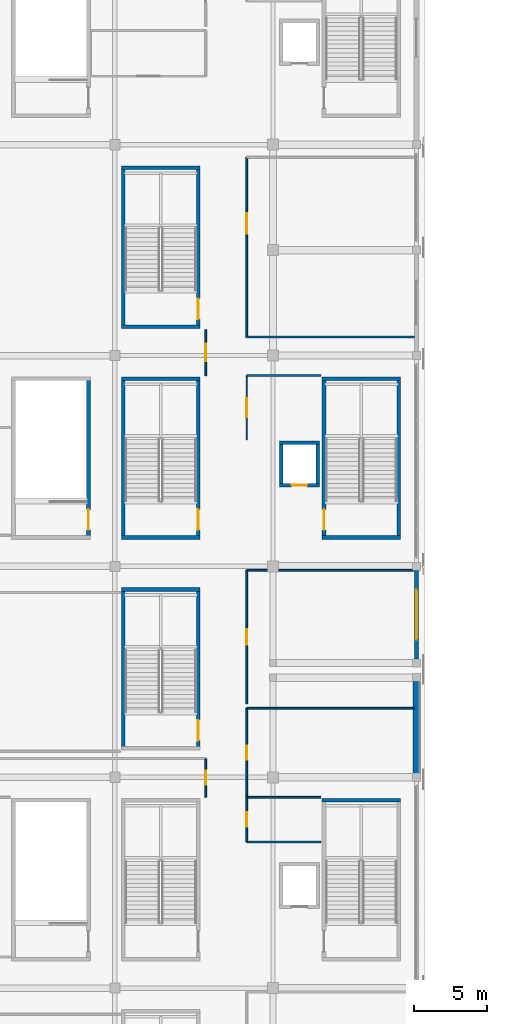
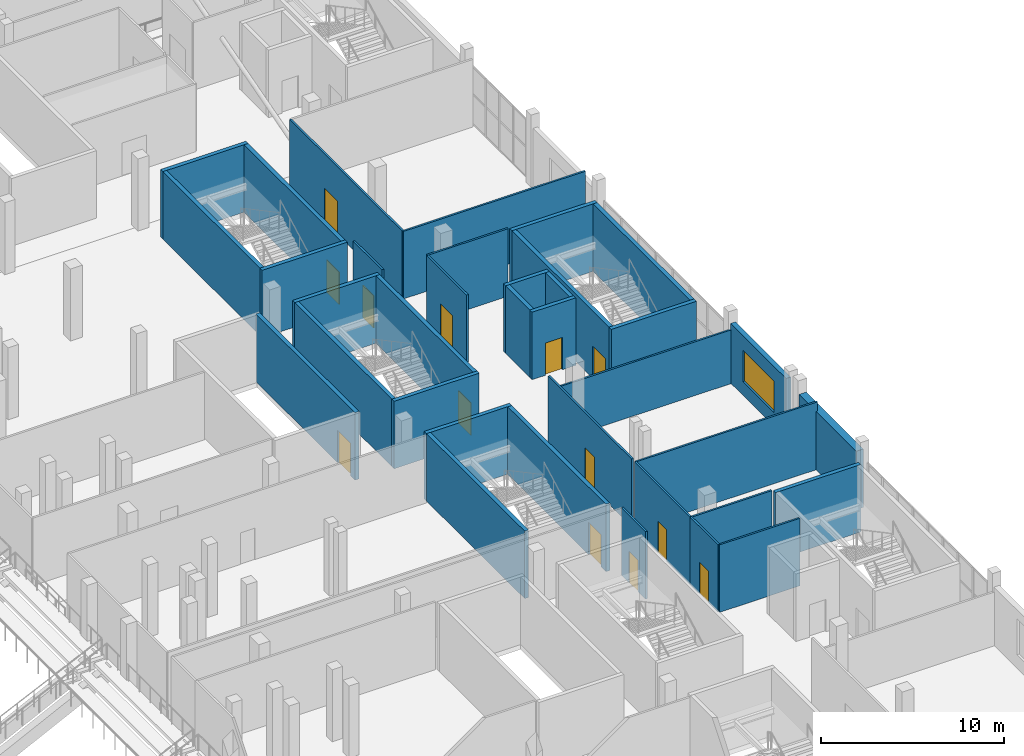
# One storey, part 83 of 129: 36 walls, 13 doors, 1 window, 14 openings.
"""IFC4 building model written with IfcOpenShell, lengths in metres."""

from ifc_helpers import new_model, si_unit, direction, frame, frame_2d, origin, place, context, subcontext, project, spatial, rectangle, extrude, material, layer, layer_set, type_object, element, fill, save


model = new_model("IFC4")

# Units and contexts
model_context = context("Model", 3, precision=1e-05, world=origin(), true_north=direction((0.0, 1.0)))
body_context = subcontext(model_context, "Body", "Model", "MODEL_VIEW")
ifc_project = project(units=[si_unit("LENGTHUNIT", "METRE"), si_unit("AREAUNIT", "SQUARE_METRE"), si_unit("VOLUMEUNIT", "CUBIC_METRE"), si_unit("PLANEANGLEUNIT", "RADIAN"), si_unit("MASSUNIT", "GRAM", prefix="KILO")], contexts=[model_context])

# Site, building, storey
site_placement = place(None, origin())
site = spatial("IfcSite", under=ifc_project, at=site_placement, CompositionType="ELEMENT")
building_placement = place(site_placement, origin())
building = spatial("IfcBuilding", under=site, at=building_placement, Name="Koshinbarg Plaza Stadium", CompositionType="ELEMENT")
storey_placement = place(building_placement, frame((0.0, 0.0, 5.39990234375)))
storey = spatial("IfcBuildingStorey", under=building, at=storey_placement, Name="L01", CompositionType="ELEMENT", Elevation=5.39990234375)

# Walls
ifc_material_1 = material(Name="Concrete C40/50", Category="concrete")
ifc_layer_1 = layer(ifc_material_1, 0.25)
ifc_layer_set_1 = layer_set([ifc_layer_1], Name="Concrete C40/50")
wall_type_1 = type_object("IfcWallType", Name="WL-CORE-250", PredefinedType="SHEAR", material=ifc_layer_set_1)
for number, where, z_axis, x_axis, name in (
    (1, (217.320068359375, 67.125, 0.0), (0.0, 0.0, 1.0), (-1.0, 0.0, 0.0), "L01 core stair shear wall C08-far IWL-L01-0191"),
    (2, (211.949951171875, 85.074951171875, 0.0), (0.0, 0.0, 1.0), (1.0, 0.0, 0.0), "L01 core stair shear wall C09-near IWL-L01-0214"),
    (3, (217.320068359375, 95.925048828125, 0.0), (0.0, 0.0, 1.0), (-1.0, 0.0, 0.0), "L01 core stair shear wall C09-far IWL-L01-0215"),
):
    element("IfcWall", number, at=place(storey_placement, frame(where, z_axis=z_axis, x_axis=x_axis)), inside=storey, type_object=wall_type_1, Name=name, PredefinedType="SHEAR", context=body_context, shape_type="SweptSolid", body=[
        extrude(rectangle(XDim=5.3701171875, YDim=0.25, at=frame_2d((2.68505859375, 0.0))), origin(), (0.0, 0.0, 1.0), 4.5),
    ])

# Wall, opening, door
wall_1_placement = place(storey_placement, frame((212.074951171875, 85.074951171875, 0.0), z_axis=(0.0, 0.0, 1.0), x_axis=(0.0, 1.0, 0.0)))
wall_1 = element("IfcWall", 4, at=wall_1_placement, inside=storey, type_object=wall_type_1, Name="L01 core stair shear wall C09-left IWL-L01-0216", PredefinedType="SHEAR", context=body_context, shape_type="SweptSolid", body=[
    extrude(rectangle(XDim=10.85009765625, YDim=0.25, at=frame_2d((5.425048828125, 0.0))), origin(), (0.0, 0.0, 1.0), 4.5),
])
opening_1_placement = place(wall_1_placement, frame((0.52001953125, 0.0, 0.0)))
opening_1 = element("IfcOpeningElement", 5, at=opening_1_placement, cuts=wall_1, Name="Opening D-0116", PredefinedType="OPENING", context=body_context, shape_type="SweptSolid", body=[
    extrude(rectangle(XDim=1.39990234375, YDim=2.14990234375, at=frame_2d((0.699951171875, 1.074951171875))), frame((0.0, 0.135009765625, 0.0), z_axis=(0.0, -1.0, 0.0), x_axis=(1.0, 0.0, 0.0)), (0.0, 0.0, 1.0), 0.27001953125),
])
ifc_material_2 = material(Name="Painted galvanized steel fire door", Category="steel")
door_type_1 = type_object("IfcDoorType", Name="DR-STAIR-1400", OperationType="NOTDEFINED", PredefinedType="DOOR", material=ifc_material_2)
door_1_placement = place(opening_1_placement, frame((1.39990234375, 0.0, 0.0), z_axis=(0.0, 0.0, 1.0), x_axis=(-1.0, 0.0, 0.0)))
door_1 = element("IfcDoor", 6, at=door_1_placement, inside=storey, type_object=door_type_1, Name="L01 exit stair door C09", OperationType="SINGLE_SWING_LEFT", OverallHeight=2.14990234375, OverallWidth=1.39990234375, PredefinedType="DOOR", context=body_context, shape_type="SweptSolid", body=[
    extrude(rectangle(XDim=1.39990234375, YDim=2.14990234375, at=frame_2d((0.699951171875, 1.074951171875))), frame((0.0, 0.02490234375, 0.0), z_axis=(0.0, -1.0, 0.0), x_axis=(1.0, 0.0, 0.0)), (0.0, 0.0, 1.0), 0.050048828125),
])
fill(opening_1, door_1)

# Walls
wall_2_placement = place(storey_placement, frame((217.195068359375, 85.074951171875, 0.0), z_axis=(0.0, 0.0, 1.0), x_axis=(0.0, 1.0, 0.0)))
element("IfcWall", 7, at=wall_2_placement, inside=storey, type_object=wall_type_1, Name="L01 core stair shear wall C09-right IWL-L01-0217", PredefinedType="SHEAR", context=body_context, shape_type="SweptSolid", body=[
    extrude(rectangle(XDim=10.85009765625, YDim=0.25, at=frame_2d((5.425048828125, 0.0))), origin(), (0.0, 0.0, 1.0), 4.5),
])
wall_3_placement = place(storey_placement, frame((203.6201171875, 81.52490234375, 0.0), z_axis=(0.0, 0.0, 1.0), x_axis=(-1.0, 0.0, 0.0)))
element("IfcWall", 8, at=wall_3_placement, inside=storey, type_object=wall_type_1, Name="L01 vomitory stair shear wall VX10-far IWL-L01-0503", PredefinedType="SHEAR", context=body_context, shape_type="SweptSolid", body=[
    extrude(rectangle(XDim=5.3701171875, YDim=0.25, at=frame_2d((2.68505859375, 0.0))), origin(), (0.0, 0.0, 1.0), 4.5),
])
wall_4_placement = place(storey_placement, frame((198.375, 70.675048828125, 0.0), z_axis=(0.0, 0.0, 1.0), x_axis=(0.0, 1.0, 0.0)))
element("IfcWall", 9, at=wall_4_placement, inside=storey, type_object=wall_type_1, Name="L01 vomitory stair shear wall VX10-left IWL-L01-0504", PredefinedType="SHEAR", context=body_context, shape_type="SweptSolid", body=[
    extrude(rectangle(XDim=10.849853515625, YDim=0.25, at=frame_2d((5.4248046875, 0.0))), origin(), (0.0, 0.0, 1.0), 4.5),
])

# Wall, opening, door
wall_5_placement = place(storey_placement, frame((203.4951171875, 70.675048828125, 0.0), z_axis=(0.0, 0.0, 1.0), x_axis=(0.0, 1.0, 0.0)))
wall_5 = element("IfcWall", 10, at=wall_5_placement, inside=storey, type_object=wall_type_1, Name="L01 vomitory stair shear wall VX10-right IWL-L01-0505", PredefinedType="SHEAR", context=body_context, shape_type="SweptSolid", body=[
    extrude(rectangle(XDim=10.849853515625, YDim=0.25, at=frame_2d((5.4248046875, 0.0))), origin(), (0.0, 0.0, 1.0), 4.5),
])
opening_2_placement = place(wall_5_placement, frame((0.52001953125, 0.0, 0.0)))
opening_2 = element("IfcOpeningElement", 11, at=opening_2_placement, cuts=wall_5, Name="Opening D-0188", PredefinedType="OPENING", context=body_context, shape_type="SweptSolid", body=[
    extrude(rectangle(XDim=1.39990234375, YDim=2.14990234375, at=frame_2d((0.699951171875, 1.074951171875))), frame((0.0, 0.135009765625, 0.0), z_axis=(0.0, -1.0, 0.0), x_axis=(1.0, 0.0, 0.0)), (0.0, 0.0, 1.0), 0.27001953125),
])
door_2_placement = place(opening_2_placement, origin())
door_2 = element("IfcDoor", 12, at=door_2_placement, inside=storey, type_object=door_type_1, Name="L01 vomitory exit stair door VX10", OperationType="SINGLE_SWING_RIGHT", OverallHeight=2.14990234375, OverallWidth=1.39990234375, PredefinedType="DOOR", context=body_context, shape_type="SweptSolid", body=[
    extrude(rectangle(XDim=1.39990234375, YDim=2.14990234375, at=frame_2d((0.699951171875, 1.074951171875))), frame((0.0, 0.02490234375, 0.0), z_axis=(0.0, -1.0, 0.0), x_axis=(1.0, 0.0, 0.0)), (0.0, 0.0, 1.0), 0.050048828125),
])
fill(opening_2, door_2)

# Walls
for number, where, z_axis, x_axis, name in (
    (13, (198.25, 85.074951171875, 0.0), (0.0, 0.0, 1.0), (1.0, 0.0, 0.0), "L01 vomitory stair shear wall VX11-near IWL-L01-0518"),
    (14, (203.6201171875, 95.925048828125, 0.0), (0.0, 0.0, 1.0), (-1.0, 0.0, 0.0), "L01 vomitory stair shear wall VX11-far IWL-L01-0519"),
):
    element("IfcWall", number, at=place(storey_placement, frame(where, z_axis=z_axis, x_axis=x_axis)), inside=storey, type_object=wall_type_1, Name=name, PredefinedType="SHEAR", context=body_context, shape_type="SweptSolid", body=[
        extrude(rectangle(XDim=5.3701171875, YDim=0.25, at=frame_2d((2.68505859375, 0.0))), origin(), (0.0, 0.0, 1.0), 4.5),
    ])
wall_6_placement = place(storey_placement, frame((198.375, 85.074951171875, 0.0), z_axis=(0.0, 0.0, 1.0), x_axis=(0.0, 1.0, 0.0)))
element("IfcWall", 15, at=wall_6_placement, inside=storey, type_object=wall_type_1, Name="L01 vomitory stair shear wall VX11-left IWL-L01-0520", PredefinedType="SHEAR", context=body_context, shape_type="SweptSolid", body=[
    extrude(rectangle(XDim=10.85009765625, YDim=0.25, at=frame_2d((5.425048828125, 0.0))), origin(), (0.0, 0.0, 1.0), 4.5),
])

# Wall, opening, door
wall_7_placement = place(storey_placement, frame((203.4951171875, 85.074951171875, 0.0), z_axis=(0.0, 0.0, 1.0), x_axis=(0.0, 1.0, 0.0)))
wall_7 = element("IfcWall", 16, at=wall_7_placement, inside=storey, type_object=wall_type_1, Name="L01 vomitory stair shear wall VX11-right IWL-L01-0521", PredefinedType="SHEAR", context=body_context, shape_type="SweptSolid", body=[
    extrude(rectangle(XDim=10.85009765625, YDim=0.25, at=frame_2d((5.425048828125, 0.0))), origin(), (0.0, 0.0, 1.0), 4.5),
])
opening_3_placement = place(wall_7_placement, frame((0.52001953125, 0.0, 0.0)))
opening_3 = element("IfcOpeningElement", 17, at=opening_3_placement, cuts=wall_7, Name="Opening D-0192", PredefinedType="OPENING", context=body_context, shape_type="SweptSolid", body=[
    extrude(rectangle(XDim=1.39990234375, YDim=2.14990234375, at=frame_2d((0.699951171875, 1.074951171875))), frame((0.0, 0.135009765625, 0.0), z_axis=(0.0, -1.0, 0.0), x_axis=(1.0, 0.0, 0.0)), (0.0, 0.0, 1.0), 0.27001953125),
])
door_3_placement = place(opening_3_placement, origin())
door_3 = element("IfcDoor", 18, at=door_3_placement, inside=storey, type_object=door_type_1, Name="L01 vomitory exit stair door VX11", OperationType="SINGLE_SWING_LEFT", OverallHeight=2.14990234375, OverallWidth=1.39990234375, PredefinedType="DOOR", context=body_context, shape_type="SweptSolid", body=[
    extrude(rectangle(XDim=1.39990234375, YDim=2.14990234375, at=frame_2d((0.699951171875, 1.074951171875))), frame((0.0, 0.02490234375, 0.0), z_axis=(0.0, -1.0, 0.0), x_axis=(1.0, 0.0, 0.0)), (0.0, 0.0, 1.0), 0.050048828125),
])
fill(opening_3, door_3)

# Walls
for number, where, z_axis, x_axis, name in (
    (19, (198.25, 99.47509765625, 0.0), (0.0, 0.0, 1.0), (1.0, 0.0, 0.0), "L01 vomitory stair shear wall VX12-near IWL-L01-0534"),
    (20, (203.6201171875, 110.324951171875, 0.0), (0.0, 0.0, 1.0), (-1.0, 0.0, 0.0), "L01 vomitory stair shear wall VX12-far IWL-L01-0535"),
):
    element("IfcWall", number, at=place(storey_placement, frame(where, z_axis=z_axis, x_axis=x_axis)), inside=storey, type_object=wall_type_1, Name=name, PredefinedType="SHEAR", context=body_context, shape_type="SweptSolid", body=[
        extrude(rectangle(XDim=5.3701171875, YDim=0.25, at=frame_2d((2.68505859375, 0.0))), origin(), (0.0, 0.0, 1.0), 4.5),
    ])
wall_8_placement = place(storey_placement, frame((198.375, 99.47509765625, 0.0), z_axis=(0.0, 0.0, 1.0), x_axis=(0.0, 1.0, 0.0)))
element("IfcWall", 21, at=wall_8_placement, inside=storey, type_object=wall_type_1, Name="L01 vomitory stair shear wall VX12-left IWL-L01-0536", PredefinedType="SHEAR", context=body_context, shape_type="SweptSolid", body=[
    extrude(rectangle(XDim=10.849853515625, YDim=0.25, at=frame_2d((5.4248046875, 0.0))), origin(), (0.0, 0.0, 1.0), 4.5),
])

# Wall, opening, door
wall_9_placement = place(storey_placement, frame((203.4951171875, 99.47509765625, 0.0), z_axis=(0.0, 0.0, 1.0), x_axis=(0.0, 1.0, 0.0)))
wall_9 = element("IfcWall", 22, at=wall_9_placement, inside=storey, type_object=wall_type_1, Name="L01 vomitory stair shear wall VX12-right IWL-L01-0537", PredefinedType="SHEAR", context=body_context, shape_type="SweptSolid", body=[
    extrude(rectangle(XDim=10.849853515625, YDim=0.25, at=frame_2d((5.4248046875, 0.0))), origin(), (0.0, 0.0, 1.0), 4.5),
])
opening_4_placement = place(wall_9_placement, frame((0.52001953125, 0.0, 0.0)))
opening_4 = element("IfcOpeningElement", 23, at=opening_4_placement, cuts=wall_9, Name="Opening D-0196", PredefinedType="OPENING", context=body_context, shape_type="SweptSolid", body=[
    extrude(rectangle(XDim=1.39990234375, YDim=2.14990234375, at=frame_2d((0.699951171875, 1.074951171875))), frame((0.0, 0.135009765625, 0.0), z_axis=(0.0, -1.0, 0.0), x_axis=(1.0, 0.0, 0.0)), (0.0, 0.0, 1.0), 0.27001953125),
])
door_4_placement = place(opening_4_placement, origin())
door_4 = element("IfcDoor", 24, at=door_4_placement, inside=storey, type_object=door_type_1, Name="L01 vomitory exit stair door VX12", OperationType="SINGLE_SWING_RIGHT", OverallHeight=2.14990234375, OverallWidth=1.39990234375, PredefinedType="DOOR", context=body_context, shape_type="SweptSolid", body=[
    extrude(rectangle(XDim=1.39990234375, YDim=2.14990234375, at=frame_2d((0.699951171875, 1.074951171875))), frame((0.0, 0.02490234375, 0.0), z_axis=(0.0, -1.0, 0.0), x_axis=(1.0, 0.0, 0.0)), (0.0, 0.0, 1.0), 0.050048828125),
])
fill(opening_4, door_4)

wall_10_placement = place(storey_placement, frame((195.9951171875, 85.074951171875, 0.0), z_axis=(0.0, 0.0, 1.0), x_axis=(0.0, 1.0, 0.0)))
wall_10 = element("IfcWall", 25, at=wall_10_placement, inside=storey, type_object=wall_type_1, Name="L01 vomitory stair shear wall VL07-right IWL-L01-0601", PredefinedType="SHEAR", context=body_context, shape_type="SweptSolid", body=[
    extrude(rectangle(XDim=10.85009765625, YDim=0.25, at=frame_2d((5.425048828125, 0.0))), origin(), (0.0, 0.0, 1.0), 4.5),
])
opening_5_placement = place(wall_10_placement, frame((0.52001953125, 0.0, 0.0)))
opening_5 = element("IfcOpeningElement", 26, at=opening_5_placement, cuts=wall_10, Name="Opening D-0212", PredefinedType="OPENING", context=body_context, shape_type="SweptSolid", body=[
    extrude(rectangle(XDim=1.39990234375, YDim=2.14990234375, at=frame_2d((0.699951171875, 1.074951171875))), frame((0.0, 0.135009765625, 0.0), z_axis=(0.0, -1.0, 0.0), x_axis=(1.0, 0.0, 0.0)), (0.0, 0.0, 1.0), 0.27001953125),
])
door_5_placement = place(opening_5_placement, origin())
door_5 = element("IfcDoor", 27, at=door_5_placement, inside=storey, type_object=door_type_1, Name="L01 vomitory exit stair door VL07", OperationType="SINGLE_SWING_LEFT", OverallHeight=2.14990234375, OverallWidth=1.39990234375, PredefinedType="DOOR", context=body_context, shape_type="SweptSolid", body=[
    extrude(rectangle(XDim=1.39990234375, YDim=2.14990234375, at=frame_2d((0.699951171875, 1.074951171875))), frame((0.0, 0.02490234375, 0.0), z_axis=(0.0, -1.0, 0.0), x_axis=(1.0, 0.0, 0.0)), (0.0, 0.0, 1.0), 0.050048828125),
])
fill(opening_5, door_5)

wall_11_placement = place(storey_placement, frame((209.02490234375, 88.64990234375, 0.0), z_axis=(0.0, 0.0, 1.0), x_axis=(1.0, 0.0, 0.0)))
wall_11 = element("IfcWall", 28, at=wall_11_placement, inside=storey, type_object=wall_type_1, Name="L01 lift shaft shear wall LP05-S IWL-L01-0914", PredefinedType="SHEAR", context=body_context, shape_type="SweptSolid", body=[
    extrude(rectangle(XDim=2.75, YDim=0.25, at=frame_2d((1.375, 0.0))), origin(), (0.0, 0.0, 1.0), 4.5),
])
opening_6_placement = place(wall_11_placement, frame((0.85009765625, 0.0, 0.0)))
opening_6 = element("IfcOpeningElement", 29, at=opening_6_placement, cuts=wall_11, Name="Opening D-0298", PredefinedType="OPENING", context=body_context, shape_type="SweptSolid", body=[
    extrude(rectangle(XDim=1.050048828125, YDim=2.14990234375, at=frame_2d((0.52490234375, 1.074951171875))), frame((0.0, 0.135009765625, 0.0), z_axis=(0.0, -1.0, 0.0), x_axis=(1.0, 0.0, 0.0)), (0.0, 0.0, 1.0), 0.27001953125),
])
ifc_material_3 = material(Name="Brushed stainless steel sliding lift landing door", Category="steel")
door_type_2 = type_object("IfcDoorType", Name="DR-LIFT-1050", OperationType="NOTDEFINED", PredefinedType="DOOR", material=ifc_material_3)
door_6_placement = place(opening_6_placement, origin())
door_6 = element("IfcDoor", 30, at=door_6_placement, inside=storey, type_object=door_type_2, Name="L01 lift landing door LP05", OperationType="SLIDING_TO_RIGHT", OverallHeight=2.14990234375, OverallWidth=1.050048828125, PredefinedType="DOOR", context=body_context, shape_type="SweptSolid", body=[
    extrude(rectangle(XDim=1.050048828125, YDim=2.14990234375, at=frame_2d((0.52490234375, 1.074951171875))), frame((0.0, 0.02490234375, 0.0), z_axis=(0.0, -1.0, 0.0), x_axis=(1.0, 0.0, 0.0)), (0.0, 0.0, 1.0), 0.050048828125),
])
fill(opening_6, door_6)

# Walls
wall_12_placement = place(storey_placement, frame((211.77490234375, 91.550048828125, 0.0), z_axis=(0.0, 0.0, 1.0), x_axis=(-1.0, 0.0, 0.0)))
element("IfcWall", 31, at=wall_12_placement, inside=storey, type_object=wall_type_1, Name="L01 lift shaft shear wall LP05-N IWL-L01-0915", PredefinedType="SHEAR", context=body_context, shape_type="SweptSolid", body=[
    extrude(rectangle(XDim=2.75, YDim=0.25, at=frame_2d((1.375, 0.0))), origin(), (0.0, 0.0, 1.0), 4.5),
])
for number, where, z_axis, x_axis, name in (
    (32, (209.14990234375, 91.550048828125, 0.0), (0.0, 0.0, 1.0), (0.0, -1.0, 0.0), "L01 lift shaft shear wall LP05-W IWL-L01-0916"),
    (33, (211.64990234375, 88.64990234375, 0.0), (0.0, 0.0, 1.0), (0.0, 1.0, 0.0), "L01 lift shaft shear wall LP05-E IWL-L01-0917"),
):
    element("IfcWall", number, at=place(storey_placement, frame(where, z_axis=z_axis, x_axis=x_axis)), inside=storey, type_object=wall_type_1, Name=name, PredefinedType="SHEAR", context=body_context, shape_type="SweptSolid", body=[
        extrude(rectangle(XDim=2.900146484375, YDim=0.25, at=frame_2d((1.4501953125, 0.0))), origin(), (0.0, 0.0, 1.0), 4.5),
    ])

# Wall, opening, window
ifc_material_4 = material(Name="Off-white mineral plaster insulated wall", Category="masonry")
ifc_layer_2 = layer(ifc_material_4, 0.300048828125)
ifc_layer_set_2 = layer_set([ifc_layer_2], Name="Off-white mineral plaster insulated wall")
wall_type_2 = type_object("IfcWallType", Name="WL-EXT-300", PredefinedType="SOLIDWALL", material=ifc_layer_set_2)
wall_13_placement = place(storey_placement, frame((218.39990234375, 82.830078125, 0.0), z_axis=(0.0, 0.0, 1.0), x_axis=(0.0, -1.0, 0.0)))
wall_13 = element("IfcWall", 34, at=wall_13_placement, inside=storey, type_object=wall_type_2, Name="L01 exterior envelope wall EWL-L01-0093", PredefinedType="SOLIDWALL", context=body_context, shape_type="SweptSolid", body=[
    extrude(rectangle(XDim=6.06005859375, YDim=0.300048828125, at=frame_2d((3.030029296875, 0.0))), origin(), (0.0, 0.0, 1.0), 3.97998046875),
])
opening_7_placement = place(wall_13_placement, frame((1.330078125, 0.0, 0.89990234375)))
opening_7 = element("IfcOpeningElement", 35, at=opening_7_placement, cuts=wall_13, Name="Opening WN18", PredefinedType="OPENING", context=body_context, shape_type="SweptSolid", body=[
    extrude(rectangle(XDim=3.39990234375, YDim=2.10009765625, at=frame_2d((1.699951171875, 1.050048828125))), frame((0.0, 0.159912109375, 0.0), z_axis=(0.0, -1.0, 0.0), x_axis=(1.0, 0.0, 0.0)), (0.0, 0.0, 1.0), 0.320068359375),
])
ifc_material_5 = material(Name="Solar-control double glazing in thermally broken aluminium frame", Category="aluminium")
window_type = type_object("IfcWindowType", Name="WN-FAC-18", PartitioningType="DOUBLE_PANEL_VERTICAL", PredefinedType="WINDOW", material=ifc_material_5)
window_placement = place(opening_7_placement, origin())
window = element("IfcWindow", 36, at=window_placement, inside=storey, type_object=window_type, Name="L01 facade window 0034", OverallHeight=2.10009765625, OverallWidth=3.39990234375, PartitioningType="SINGLE_PANEL", PredefinedType="WINDOW", context=body_context, shape_type="SweptSolid", body=[
    extrude(rectangle(XDim=3.39990234375, YDim=2.10009765625, at=frame_2d((1.699951171875, 1.050048828125))), frame((0.0, 0.030029296875, 0.0), z_axis=(0.0, -1.0, 0.0), x_axis=(1.0, 0.0, 0.0)), (0.0, 0.0, 1.0), 0.06005859375),
])
fill(opening_7, window)

# Wall, opening, door
ifc_material_6 = material(Name="Gypsum board metal-stud acoustic partition")
ifc_layer_3 = layer(ifc_material_6, 0.1201171875)
ifc_layer_set_3 = layer_set([ifc_layer_3], Name="Gypsum board metal-stud acoustic partition")
wall_type_3 = type_object("IfcWallType", Name="WL-PART-120", PredefinedType="PARTITIONING", material=ifc_layer_set_3)
wall_14_placement = place(storey_placement, frame((204.0, 67.330078125, 0.0), z_axis=(0.0, 0.0, 1.0), x_axis=(0.0, 1.0, 0.0)))
wall_14 = element("IfcWall", 37, at=wall_14_placement, inside=storey, type_object=wall_type_3, Name="L01 interior partition L01-102-east IWL-L01-1409", PredefinedType="PARTITIONING", context=body_context, shape_type="SweptSolid", body=[
    extrude(rectangle(XDim=2.64794921875, YDim=0.1201171875, at=frame_2d((1.323974609375, 0.0))), origin(), (0.0, 0.0, 1.0), 4.5),
])
opening_8_placement = place(wall_14_placement, frame((0.843994140625, 0.0, 0.0)))
opening_8 = element("IfcOpeningElement", 38, at=opening_8_placement, cuts=wall_14, Name="Opening D-0468", PredefinedType="OPENING", context=body_context, shape_type="SweptSolid", body=[
    extrude(rectangle(XDim=0.9599609375, YDim=2.10009765625, at=frame_2d((0.47998046875, 1.050048828125))), frame((0.0, 0.070068359375, 0.0), z_axis=(0.0, -1.0, 0.0), x_axis=(1.0, 0.0, 0.0)), (0.0, 0.0, 1.0), 0.14013671875),
])
ifc_material_7 = material(Name="Solid-core oak veneer acoustic door")
door_type_3 = type_object("IfcDoorType", Name="DR-INT-0960x2100", OperationType="NOTDEFINED", PredefinedType="DOOR", material=ifc_material_7)
door_7_placement = place(opening_8_placement, origin())
door_7 = element("IfcDoor", 39, at=door_7_placement, inside=storey, type_object=door_type_3, Name="L01 Family Supporters' Lounge door D-0468", OperationType="SINGLE_SWING_RIGHT", OverallHeight=2.10009765625, OverallWidth=0.9599609375, PredefinedType="DOOR", context=body_context, shape_type="SweptSolid", body=[
    extrude(rectangle(XDim=0.9599609375, YDim=2.10009765625, at=frame_2d((0.47998046875, 1.050048828125))), frame((0.0, 0.02490234375, 0.0), z_axis=(0.0, -1.0, 0.0), x_axis=(1.0, 0.0, 0.0)), (0.0, 0.0, 1.0), 0.050048828125),
])
fill(opening_8, door_7)

# Wall
wall_15_placement = place(storey_placement, frame((218.2548828125, 73.4052734375, 0.0), z_axis=(0.0, 0.0, 1.0), x_axis=(-1.0, 0.0, 0.0)))
element("IfcWall", 40, at=wall_15_placement, inside=storey, type_object=wall_type_3, Name="L01 interior partition L01-105-north IWL-L01-1418", PredefinedType="PARTITIONING", context=body_context, shape_type="SweptSolid", body=[
    extrude(rectangle(XDim=11.454833984375, YDim=0.1201171875, at=frame_2d((5.7275390625, 0.0))), origin(), (0.0, 0.0, 1.0), 4.5),
])

# Wall, opening, door
wall_16_placement = place(storey_placement, frame((206.800048828125, 73.4052734375, 0.0), z_axis=(0.0, 0.0, 1.0), x_axis=(0.0, -1.0, 0.0)))
wall_16 = element("IfcWall", 41, at=wall_16_placement, inside=storey, type_object=wall_type_3, Name="L01 interior partition L01-105-west IWL-L01-1419", PredefinedType="PARTITIONING", context=body_context, shape_type="SweptSolid", body=[
    extrude(rectangle(XDim=6.0751953125, YDim=0.1201171875, at=frame_2d((3.03759765625, 0.0))), origin(), (0.0, 0.0, 1.0), 4.5),
])
opening_9_placement = place(wall_16_placement, frame((2.5576171875, 0.0, 0.0)))
opening_9 = element("IfcOpeningElement", 42, at=opening_9_placement, cuts=wall_16, Name="Opening D-0471", PredefinedType="OPENING", context=body_context, shape_type="SweptSolid", body=[
    extrude(rectangle(XDim=0.9599609375, YDim=2.10009765625, at=frame_2d((0.47998046875, 1.050048828125))), frame((0.0, 0.070068359375, 0.0), z_axis=(0.0, -1.0, 0.0), x_axis=(1.0, 0.0, 0.0)), (0.0, 0.0, 1.0), 0.14013671875),
])
door_8_placement = place(opening_9_placement, origin())
door_8 = element("IfcDoor", 43, at=door_8_placement, inside=storey, type_object=door_type_3, Name="L01 East Lower Public Concourse door D-0471", OperationType="SINGLE_SWING_LEFT", OverallHeight=2.10009765625, OverallWidth=0.9599609375, PredefinedType="DOOR", context=body_context, shape_type="SweptSolid", body=[
    extrude(rectangle(XDim=0.9599609375, YDim=2.10009765625, at=frame_2d((0.47998046875, 1.050048828125))), frame((0.0, 0.02490234375, 0.0), z_axis=(0.0, -1.0, 0.0), x_axis=(1.0, 0.0, 0.0)), (0.0, 0.0, 1.0), 0.050048828125),
])
fill(opening_9, door_8)

# Walls
for number, where, z_axis, x_axis, name in (
    (44, (206.800048828125, 64.280517578125, 0.0), (0.0, 0.0, 1.0), (1.0, 0.0, 0.0), "L01 interior partition L01-106-south IWL-L01-1420"),
    (45, (211.8701171875, 67.330078125, 0.0), (0.0, 0.0, 1.0), (-1.0, 0.0, 0.0), "L01 interior partition L01-106-north IWL-L01-1421"),
):
    element("IfcWall", number, at=place(storey_placement, frame(where, z_axis=z_axis, x_axis=x_axis)), inside=storey, type_object=wall_type_3, Name=name, PredefinedType="PARTITIONING", context=body_context, shape_type="SweptSolid", body=[
        extrude(rectangle(XDim=5.070068359375, YDim=0.1201171875, at=frame_2d((2.53515625, 0.0))), origin(), (0.0, 0.0, 1.0), 4.5),
    ])

# Wall, opening, door
wall_17_placement = place(storey_placement, frame((206.800048828125, 67.330078125, 0.0), z_axis=(0.0, 0.0, 1.0), x_axis=(0.0, -1.0, 0.0)))
wall_17 = element("IfcWall", 46, at=wall_17_placement, inside=storey, type_object=wall_type_3, Name="L01 interior partition L01-106-west IWL-L01-1422", PredefinedType="PARTITIONING", context=body_context, shape_type="SweptSolid", body=[
    extrude(rectangle(XDim=3.049560546875, YDim=0.1201171875, at=frame_2d((1.52490234375, 0.0))), origin(), (0.0, 0.0, 1.0), 4.5),
])
opening_10_placement = place(wall_17_placement, frame((1.02490234375, 0.0, 0.0)))
opening_10 = element("IfcOpeningElement", 47, at=opening_10_placement, cuts=wall_17, Name="Opening D-0472", PredefinedType="OPENING", context=body_context, shape_type="SweptSolid", body=[
    extrude(rectangle(XDim=1.0, YDim=2.10009765625, at=frame_2d((0.5, 1.050048828125))), frame((0.0, 0.070068359375, 0.0), z_axis=(0.0, -1.0, 0.0), x_axis=(1.0, 0.0, 0.0)), (0.0, 0.0, 1.0), 0.14013671875),
])
ifc_material_8 = material(Name="Solid-core laminate accessible WC door")
door_type_4 = type_object("IfcDoorType", Name="DR-INT-1000x2100", OperationType="NOTDEFINED", PredefinedType="DOOR", material=ifc_material_8)
door_9_placement = place(opening_10_placement, origin())
door_9 = element("IfcDoor", 48, at=door_9_placement, inside=storey, type_object=door_type_4, Name="L01 East Concourse Dining Hall door D-0472", OperationType="SINGLE_SWING_RIGHT", OverallHeight=2.10009765625, OverallWidth=1.0, PredefinedType="DOOR", context=body_context, shape_type="SweptSolid", body=[
    extrude(rectangle(XDim=1.0, YDim=2.10009765625, at=frame_2d((0.5, 1.050048828125))), frame((0.0, 0.02490234375, 0.0), z_axis=(0.0, -1.0, 0.0), x_axis=(1.0, 0.0, 0.0)), (0.0, 0.0, 1.0), 0.050048828125),
])
fill(opening_10, door_9)

# Wall
wall_18_placement = place(storey_placement, frame((218.2548828125, 82.830078125, 0.0), z_axis=(0.0, 0.0, 1.0), x_axis=(-1.0, 0.0, 0.0)))
element("IfcWall", 49, at=wall_18_placement, inside=storey, type_object=wall_type_3, Name="L01 interior partition L01-107-north IWL-L01-1423", PredefinedType="PARTITIONING", context=body_context, shape_type="SweptSolid", body=[
    extrude(rectangle(XDim=11.454833984375, YDim=0.1201171875, at=frame_2d((5.7275390625, 0.0))), origin(), (0.0, 0.0, 1.0), 3.580078125),
])

# Wall, opening, door
wall_19_placement = place(storey_placement, frame((206.800048828125, 82.830078125, 0.0), z_axis=(0.0, 0.0, 1.0), x_axis=(0.0, -1.0, 0.0)))
wall_19 = element("IfcWall", 50, at=wall_19_placement, inside=storey, type_object=wall_type_3, Name="L01 interior partition L01-107-west IWL-L01-1424", PredefinedType="PARTITIONING", context=body_context, shape_type="SweptSolid", body=[
    extrude(rectangle(XDim=9.125, YDim=0.1201171875, at=frame_2d((4.5625, 0.0))), origin(), (0.0, 0.0, 1.0), 4.5),
])
opening_11_placement = place(wall_19_placement, frame((4.037353515625, 0.0, 0.0)))
opening_11 = element("IfcOpeningElement", 51, at=opening_11_placement, cuts=wall_19, Name="Opening D-0473", PredefinedType="OPENING", context=body_context, shape_type="SweptSolid", body=[
    extrude(rectangle(XDim=1.050048828125, YDim=2.14990234375, at=frame_2d((0.52490234375, 1.074951171875))), frame((0.0, 0.070068359375, 0.0), z_axis=(0.0, -1.0, 0.0), x_axis=(1.0, 0.0, 0.0)), (0.0, 0.0, 1.0), 0.14013671875),
])
ifc_material_9 = material(Name="Solid-core oak suite entrance door")
door_type_5 = type_object("IfcDoorType", Name="DR-INT-1050x2150", OperationType="NOTDEFINED", PredefinedType="DOOR", material=ifc_material_9)
door_10_placement = place(opening_11_placement, origin())
door_10 = element("IfcDoor", 52, at=door_10_placement, inside=storey, type_object=door_type_5, Name="L01 East Concourse Dining Hall door D-0473", OperationType="SINGLE_SWING_LEFT", OverallHeight=2.14990234375, OverallWidth=1.050048828125, PredefinedType="DOOR", context=body_context, shape_type="SweptSolid", body=[
    extrude(rectangle(XDim=1.050048828125, YDim=2.14990234375, at=frame_2d((0.52490234375, 1.074951171875))), frame((0.0, 0.02490234375, 0.0), z_axis=(0.0, -1.0, 0.0), x_axis=(1.0, 0.0, 0.0)), (0.0, 0.0, 1.0), 0.050048828125),
])
fill(opening_11, door_10)

wall_20_placement = place(storey_placement, frame((204.0, 96.1298828125, 0.0), z_axis=(0.0, 0.0, 1.0), x_axis=(0.0, 1.0, 0.0)))
wall_20 = element("IfcWall", 53, at=wall_20_placement, inside=storey, type_object=wall_type_3, Name="L01 interior partition L01-109-east IWL-L01-1428", PredefinedType="PARTITIONING", context=body_context, shape_type="SweptSolid", body=[
    extrude(rectangle(XDim=3.14013671875, YDim=0.1201171875, at=frame_2d((1.570068359375, 0.0))), origin(), (0.0, 0.0, 1.0), 4.5),
])
opening_12_placement = place(wall_20_placement, frame((0.969970703125, 0.0, 0.0)))
opening_12 = element("IfcOpeningElement", 54, at=opening_12_placement, cuts=wall_20, Name="Opening D-0475", PredefinedType="OPENING", context=body_context, shape_type="SweptSolid", body=[
    extrude(rectangle(XDim=1.199951171875, YDim=2.14990234375, at=frame_2d((0.60009765625, 1.074951171875))), frame((0.0, 0.070068359375, 0.0), z_axis=(0.0, -1.0, 0.0), x_axis=(1.0, 0.0, 0.0)), (0.0, 0.0, 1.0), 0.14013671875),
])
ifc_material_10 = material(Name="Solid-core hardwood leaf in painted steel frame", Category="steel")
door_type_6 = type_object("IfcDoorType", Name="DR-INT-1200x2150", OperationType="NOTDEFINED", PredefinedType="DOOR", material=ifc_material_10)
door_11_placement = place(opening_12_placement, origin())
door_11 = element("IfcDoor", 55, at=door_11_placement, inside=storey, type_object=door_type_6, Name="L01 East Concourse Dining Hall door D-0475", OperationType="SINGLE_SWING_LEFT", OverallHeight=2.14990234375, OverallWidth=1.199951171875, PredefinedType="DOOR", context=body_context, shape_type="SweptSolid", body=[
    extrude(rectangle(XDim=1.199951171875, YDim=2.14990234375, at=frame_2d((0.60009765625, 1.074951171875))), frame((0.0, 0.02490234375, 0.0), z_axis=(0.0, -1.0, 0.0), x_axis=(1.0, 0.0, 0.0)), (0.0, 0.0, 1.0), 0.050048828125),
])
fill(opening_12, door_11)

# Wall
wall_21_placement = place(storey_placement, frame((211.8701171875, 96.1298828125, 0.0), z_axis=(0.0, 0.0, 1.0), x_axis=(-1.0, 0.0, 0.0)))
element("IfcWall", 56, at=wall_21_placement, inside=storey, type_object=wall_type_3, Name="L01 interior partition L01-110-north IWL-L01-1430", PredefinedType="PARTITIONING", context=body_context, shape_type="SweptSolid", body=[
    extrude(rectangle(XDim=5.070068359375, YDim=0.1201171875, at=frame_2d((2.53515625, 0.0))), origin(), (0.0, 0.0, 1.0), 4.5),
])

# Wall, opening, door
wall_22_placement = place(storey_placement, frame((206.800048828125, 96.1298828125, 0.0), z_axis=(0.0, 0.0, 1.0), x_axis=(0.0, -1.0, 0.0)))
wall_22 = element("IfcWall", 57, at=wall_22_placement, inside=storey, type_object=wall_type_3, Name="L01 interior partition L01-110-west IWL-L01-1431", PredefinedType="PARTITIONING", context=body_context, shape_type="SweptSolid", body=[
    extrude(rectangle(XDim=4.39990234375, YDim=0.1201171875, at=frame_2d((2.199951171875, 0.0))), origin(), (0.0, 0.0, 1.0), 4.5),
])
opening_13_placement = place(wall_22_placement, frame((1.550048828125, 0.0, 0.0)))
opening_13 = element("IfcOpeningElement", 58, at=opening_13_placement, cuts=wall_22, Name="Opening D-0476", PredefinedType="OPENING", context=body_context, shape_type="SweptSolid", body=[
    extrude(rectangle(XDim=1.300048828125, YDim=2.199951171875, at=frame_2d((0.64990234375, 1.10009765625))), frame((0.0, 0.070068359375, 0.0), z_axis=(0.0, -1.0, 0.0), x_axis=(1.0, 0.0, 0.0)), (0.0, 0.0, 1.0), 0.14013671875),
])
ifc_material_11 = material(Name="Thermally broken anodised aluminium glazed door", Category="aluminium")
door_type_7 = type_object("IfcDoorType", Name="DR-INT-1300x2200", OperationType="NOTDEFINED", PredefinedType="DOOR", material=ifc_material_11)
door_12_placement = place(opening_13_placement, origin())
door_12 = element("IfcDoor", 59, at=door_12_placement, inside=storey, type_object=door_type_7, Name="L01 East Concourse Dining Hall door D-0476", OperationType="SINGLE_SWING_RIGHT", OverallHeight=2.199951171875, OverallWidth=1.300048828125, PredefinedType="DOOR", context=body_context, shape_type="SweptSolid", body=[
    extrude(rectangle(XDim=1.300048828125, YDim=2.199951171875, at=frame_2d((0.64990234375, 1.10009765625))), frame((0.0, 0.02490234375, 0.0), z_axis=(0.0, -1.0, 0.0), x_axis=(1.0, 0.0, 0.0)), (0.0, 0.0, 1.0), 0.050048828125),
])
fill(opening_13, door_12)

# Wall
wall_23_placement = place(storey_placement, frame((206.800048828125, 98.759033203125, 0.0), z_axis=(0.0, 0.0, 1.0), x_axis=(1.0, 0.0, 0.0)))
element("IfcWall", 60, at=wall_23_placement, inside=storey, type_object=wall_type_3, Name="L01 interior partition L01-111-south IWL-L01-1432", PredefinedType="PARTITIONING", context=body_context, shape_type="SweptSolid", body=[
    extrude(rectangle(XDim=11.454833984375, YDim=0.1201171875, at=frame_2d((5.7275390625, 0.0))), origin(), (0.0, 0.0, 1.0), 4.5),
])

# Wall, opening, door
wall_24_placement = place(storey_placement, frame((206.800048828125, 111.050048828125, 0.0), z_axis=(0.0, 0.0, 1.0), x_axis=(0.0, -1.0, 0.0)))
wall_24 = element("IfcWall", 61, at=wall_24_placement, inside=storey, type_object=wall_type_3, Name="L01 interior partition L01-111-west IWL-L01-1434", PredefinedType="PARTITIONING", context=body_context, shape_type="SweptSolid", body=[
    extrude(rectangle(XDim=12.291015625, YDim=0.1201171875, at=frame_2d((6.1455078125, 0.0))), origin(), (0.0, 0.0, 1.0), 4.5),
])
opening_14_placement = place(wall_24_placement, frame((3.81494140625, 0.0, 0.0)))
opening_14 = element("IfcOpeningElement", 62, at=opening_14_placement, cuts=wall_24, Name="Opening D-0477", PredefinedType="OPENING", context=body_context, shape_type="SweptSolid", body=[
    extrude(rectangle(XDim=1.39990234375, YDim=2.199951171875, at=frame_2d((0.699951171875, 1.10009765625))), frame((0.0, 0.070068359375, 0.0), z_axis=(0.0, -1.0, 0.0), x_axis=(1.0, 0.0, 0.0)), (0.0, 0.0, 1.0), 0.14013671875),
])
ifc_material_12 = material(Name="Stainless-clad solid-core timber double fire door", Category="wood")
door_type_8 = type_object("IfcDoorType", Name="DR-INT-1400x2200", OperationType="NOTDEFINED", PredefinedType="DOOR", material=ifc_material_12)
door_13_placement = place(opening_14_placement, origin())
door_13 = element("IfcDoor", 63, at=door_13_placement, inside=storey, type_object=door_type_8, Name="L01 Family Supporters' Lounge door D-0477", OperationType="DOUBLE_DOOR_SINGLE_SWING", OverallHeight=2.199951171875, OverallWidth=1.39990234375, PredefinedType="DOOR", context=body_context, shape_type="SweptSolid", body=[
    extrude(rectangle(XDim=1.39990234375, YDim=2.199951171875, at=frame_2d((0.699951171875, 1.10009765625))), frame((0.0, 0.02490234375, 0.0), z_axis=(0.0, -1.0, 0.0), x_axis=(1.0, 0.0, 0.0)), (0.0, 0.0, 1.0), 0.050048828125),
])
fill(opening_14, door_13)

# Wall
ifc_layer_4 = layer(ifc_material_1, 0.449951171875)
ifc_layer_set_4 = layer_set([ifc_layer_4], Name="Concrete C40/50")
wall_type_4 = type_object("IfcWallType", Name="WL-PYLON-450", PredefinedType="SHEAR", material=ifc_layer_set_4)
wall_25_placement = place(storey_placement, frame((218.39990234375, 75.22998046875, 0.0), z_axis=(0.0, 0.0, 1.0), x_axis=(0.0, -1.0, 0.0)))
element("IfcWall", 64, at=wall_25_placement, inside=storey, type_object=wall_type_4, Name="L01 exterior shear pylon wall EWL-L01-0094", PredefinedType="SHEAR", context=body_context, shape_type="SweptSolid", body=[
    extrude(rectangle(XDim=6.260009765625, YDim=0.449951171875, at=frame_2d((3.1298828125, 0.0))), origin(), (0.0, 0.0, 1.0), 3.880126953125),
])

save(model, "model.ifc")
